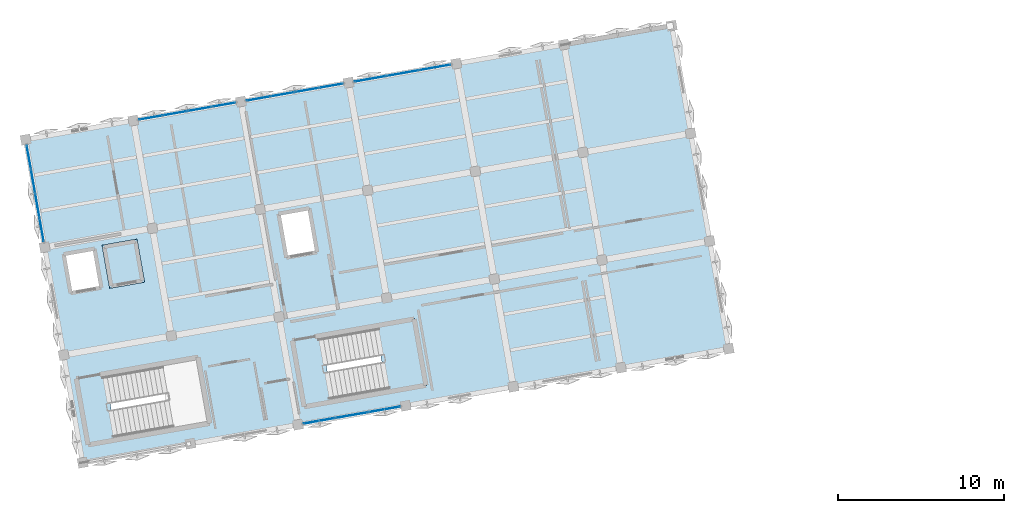
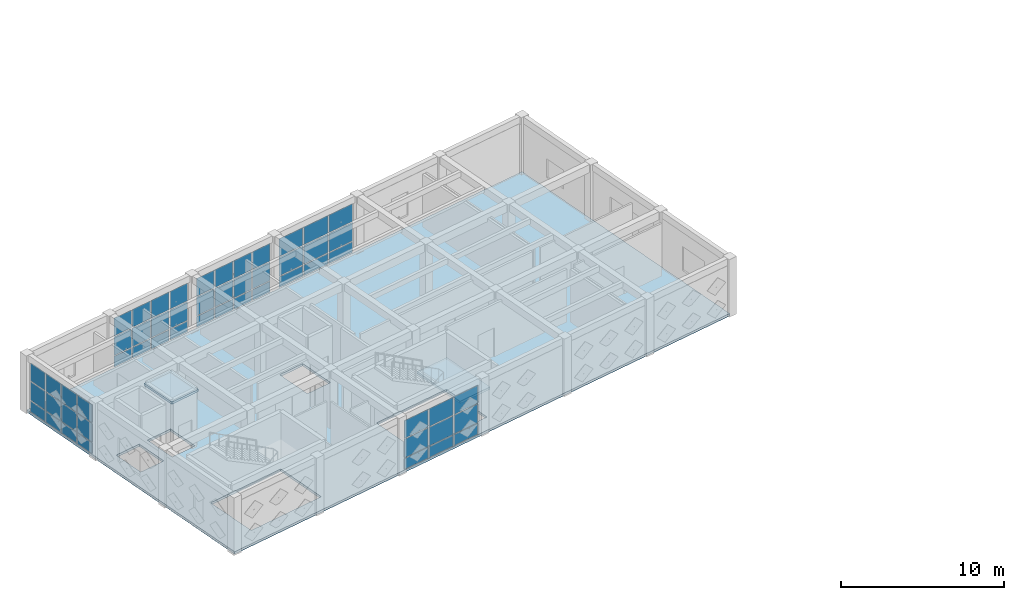
# One storey, part 16 of 29: 54 plates, 3 slabs, 6 elements without a shape of their own.
"""IFC4 building model written with IfcOpenShell, lengths in metres."""

from ifc_helpers import new_model, si_unit, direction, frame, origin, origin_2d, place, context, subcontext, project, spatial, polyline, rectangle, outline, extrude, material, layer, layer_set, type_object, element, aggregate, save


model = new_model("IFC4")

# Units and contexts
model_context = context("Model", 3, precision=1e-05, world=origin(), true_north=direction((0.0, 1.0)))
body_context = subcontext(model_context, "Body", "Model", "MODEL_VIEW")
ifc_project = project(units=[si_unit("LENGTHUNIT", "METRE"), si_unit("AREAUNIT", "SQUARE_METRE"), si_unit("VOLUMEUNIT", "CUBIC_METRE"), si_unit("PLANEANGLEUNIT", "RADIAN"), si_unit("MASSUNIT", "GRAM", prefix="KILO")], contexts=[model_context])

# Site, building, storey
site_placement = place(None, origin())
site = spatial("IfcSite", under=ifc_project, at=site_placement, CompositionType="ELEMENT")
building_placement = place(site_placement, origin())
building = spatial("IfcBuilding", under=site, at=building_placement, Name="Kharisveld Research Institute", CompositionType="ELEMENT")
storey_placement = place(building_placement, frame((0.0, 0.0, 32.10009765625)))
storey = spatial("IfcBuildingStorey", under=building, at=storey_placement, Name="L07", CompositionType="ELEMENT", Elevation=32.10009765625)

# Curtain wall, plates
ifc_material_1 = material(Name="Thermally Broken Aluminium Curtain Wall", Category="aluminium")
ifc_layer_1 = layer(ifc_material_1, 0.159912109375)
ifc_layer_set_1 = layer_set([ifc_layer_1], Name="CW_SYS_02")
curtain_wall_type_1 = type_object("IfcCurtainWallType", Name="CW_SYS_02", PredefinedType="NOTDEFINED", material=ifc_layer_set_1)
curtain_wall_1_placement = place(storey_placement, origin())
curtain_wall_1 = element("IfcCurtainWall", 1, at=curtain_wall_1_placement, inside=storey, type_object=curtain_wall_type_1, Name="CW:V1:L07:W2", PredefinedType="NOTDEFINED")
ifc_material_2 = material(Name="Low-E Double Glazing", Category="glass")
ifc_layer_2 = layer(ifc_material_2, 0.028076171875)
ifc_layer_set_2 = layer_set([ifc_layer_2], Name="CW_PNL_GLZ")
plate_type_1 = type_object("IfcPlateType", Name="CW_PNL_GLZ", PredefinedType="CURTAIN_PANEL", material=ifc_layer_set_2)
plate_1_placement = place(storey_placement, frame((2.72314453125, 49.05712890625, 0.06494140625), z_axis=(0.0, 0.0, 1.0), x_axis=(-0.173648210685, 0.98480774719, 0.0)))
plate_1 = element("IfcPlate", 2, at=plate_1_placement, type_object=plate_type_1, Name="CW-02 panel 1.1", PredefinedType="CURTAIN_PANEL", context=body_context, shape_type="SweptSolid", body=[
    extrude(rectangle(XDim=1.3974609375, YDim=0.028076171875, at=origin_2d()), origin(), (0.0, 0.0, 1.0), 0.802490234375),
])
plate_2_placement = place(storey_placement, frame((2.72314453125, 49.05712890625, 0.9326171875), z_axis=(0.0, 0.0, 1.0), x_axis=(-0.173648210685, 0.98480774719, 0.0)))
plate_2 = element("IfcPlate", 3, at=plate_2_placement, type_object=plate_type_1, Name="CW-02 panel 1.2", PredefinedType="CURTAIN_PANEL", context=body_context, shape_type="SweptSolid", body=[
    extrude(rectangle(XDim=1.3974609375, YDim=0.028076171875, at=origin_2d()), origin(), (0.0, 0.0, 1.0), 1.385009765625),
])
plate_3_placement = place(storey_placement, frame((2.72314453125, 49.05712890625, 2.38232421875), z_axis=(0.0, 0.0, 1.0), x_axis=(-0.173648210685, 0.98480774719, 0.0)))
plate_3 = element("IfcPlate", 4, at=plate_3_placement, type_object=plate_type_1, Name="CW-02 panel 1.3", PredefinedType="CURTAIN_PANEL", context=body_context, shape_type="SweptSolid", body=[
    extrude(rectangle(XDim=1.3974609375, YDim=0.028076171875, at=origin_2d()), origin(), (0.0, 0.0, 1.0), 1.33251953125),
])
plate_4_placement = place(storey_placement, frame((2.46533203125, 50.51953125, 0.06494140625), z_axis=(0.0, 0.0, 1.0), x_axis=(-0.173648210685, 0.98480774719, 0.0)))
plate_4 = element("IfcPlate", 5, at=plate_4_placement, type_object=plate_type_1, Name="CW-02 panel 2.1", PredefinedType="CURTAIN_PANEL", context=body_context, shape_type="SweptSolid", body=[
    extrude(rectangle(XDim=1.4326171875, YDim=0.028076171875, at=origin_2d()), origin(), (0.0, 0.0, 1.0), 0.802490234375),
])
plate_5_placement = place(storey_placement, frame((2.46533203125, 50.51953125, 0.9326171875), z_axis=(0.0, 0.0, 1.0), x_axis=(-0.173648210685, 0.98480774719, 0.0)))
plate_5 = element("IfcPlate", 6, at=plate_5_placement, type_object=plate_type_1, Name="CW-02 panel 2.2", PredefinedType="CURTAIN_PANEL", context=body_context, shape_type="SweptSolid", body=[
    extrude(rectangle(XDim=1.4326171875, YDim=0.028076171875, at=origin_2d()), origin(), (0.0, 0.0, 1.0), 1.385009765625),
])
plate_6_placement = place(storey_placement, frame((2.46533203125, 50.51953125, 2.38232421875), z_axis=(0.0, 0.0, 1.0), x_axis=(-0.173648210685, 0.98480774719, 0.0)))
plate_6 = element("IfcPlate", 7, at=plate_6_placement, type_object=plate_type_1, Name="CW-02 panel 2.3", PredefinedType="CURTAIN_PANEL", context=body_context, shape_type="SweptSolid", body=[
    extrude(rectangle(XDim=1.4326171875, YDim=0.028076171875, at=origin_2d()), origin(), (0.0, 0.0, 1.0), 1.33251953125),
])
plate_7_placement = place(storey_placement, frame((2.204345703125, 51.999267578125, 0.06494140625), z_axis=(0.0, 0.0, 1.0), x_axis=(-0.173648210685, 0.98480774719, 0.0)))
plate_7 = element("IfcPlate", 8, at=plate_7_placement, type_object=plate_type_1, Name="CW-02 panel 3.1", PredefinedType="CURTAIN_PANEL", context=body_context, shape_type="SweptSolid", body=[
    extrude(rectangle(XDim=1.4326171875, YDim=0.028076171875, at=origin_2d()), origin(), (0.0, 0.0, 1.0), 0.802490234375),
])
plate_8_placement = place(storey_placement, frame((2.204345703125, 51.999267578125, 0.9326171875), z_axis=(0.0, 0.0, 1.0), x_axis=(-0.173648210685, 0.98480774719, 0.0)))
plate_8 = element("IfcPlate", 9, at=plate_8_placement, type_object=plate_type_1, Name="CW-02 panel 3.2", PredefinedType="CURTAIN_PANEL", context=body_context, shape_type="SweptSolid", body=[
    extrude(rectangle(XDim=1.4326171875, YDim=0.028076171875, at=origin_2d()), origin(), (0.0, 0.0, 1.0), 1.385009765625),
])
plate_9_placement = place(storey_placement, frame((2.204345703125, 51.999267578125, 2.38232421875), z_axis=(0.0, 0.0, 1.0), x_axis=(-0.173648210685, 0.98480774719, 0.0)))
plate_9 = element("IfcPlate", 10, at=plate_9_placement, type_object=plate_type_1, Name="CW-02 panel 3.3", PredefinedType="CURTAIN_PANEL", context=body_context, shape_type="SweptSolid", body=[
    extrude(rectangle(XDim=1.4326171875, YDim=0.028076171875, at=origin_2d()), origin(), (0.0, 0.0, 1.0), 1.33251953125),
])
plate_10_placement = place(storey_placement, frame((1.946533203125, 53.461669921875, 0.06494140625), z_axis=(0.0, 0.0, 1.0), x_axis=(-0.173648210685, 0.98480774719, 0.0)))
plate_10 = element("IfcPlate", 11, at=plate_10_placement, type_object=plate_type_1, Name="CW-02 panel 4.1", PredefinedType="CURTAIN_PANEL", context=body_context, shape_type="SweptSolid", body=[
    extrude(rectangle(XDim=1.3974609375, YDim=0.028076171875, at=origin_2d()), origin(), (0.0, 0.0, 1.0), 0.802490234375),
])
plate_11_placement = place(storey_placement, frame((1.946533203125, 53.461669921875, 0.9326171875), z_axis=(0.0, 0.0, 1.0), x_axis=(-0.173648210685, 0.98480774719, 0.0)))
plate_11 = element("IfcPlate", 12, at=plate_11_placement, type_object=plate_type_1, Name="CW-02 panel 4.2", PredefinedType="CURTAIN_PANEL", context=body_context, shape_type="SweptSolid", body=[
    extrude(rectangle(XDim=1.3974609375, YDim=0.028076171875, at=origin_2d()), origin(), (0.0, 0.0, 1.0), 1.385009765625),
])
plate_12_placement = place(storey_placement, frame((1.946533203125, 53.461669921875, 2.38232421875), z_axis=(0.0, 0.0, 1.0), x_axis=(-0.173648210685, 0.98480774719, 0.0)))
plate_12 = element("IfcPlate", 13, at=plate_12_placement, type_object=plate_type_1, Name="CW-02 panel 4.3", PredefinedType="CURTAIN_PANEL", context=body_context, shape_type="SweptSolid", body=[
    extrude(rectangle(XDim=1.3974609375, YDim=0.028076171875, at=origin_2d()), origin(), (0.0, 0.0, 1.0), 1.33251953125),
])
aggregate(curtain_wall_1, [plate_1, plate_2, plate_3, plate_4, plate_5, plate_6, plate_7, plate_8, plate_9, plate_10, plate_11, plate_12])

ifc_material_3 = material(Name="Thermally Broken Aluminium Curtain Wall", Category="aluminium")
ifc_layer_3 = layer(ifc_material_3, 0.159912109375)
ifc_layer_set_3 = layer_set([ifc_layer_3], Name="CW_SYS_03")
curtain_wall_type_2 = type_object("IfcCurtainWallType", Name="CW_SYS_03", PredefinedType="NOTDEFINED", material=ifc_layer_set_3)
curtain_wall_2_placement = place(storey_placement, origin())
curtain_wall_2 = element("IfcCurtainWall", 14, at=curtain_wall_2_placement, inside=storey, type_object=curtain_wall_type_2, Name="CW:V1:L07:N1", PredefinedType="NOTDEFINED")
plate_13_placement = place(storey_placement, frame((9.30908203125, 55.840087890625, 0.06494140625), z_axis=(0.0, 0.0, 1.0), x_axis=(0.984807742174, 0.173648239132, 0.0)))
plate_13 = element("IfcPlate", 15, at=plate_13_placement, type_object=plate_type_1, Name="CW-03 panel 1.1", PredefinedType="CURTAIN_PANEL", context=body_context, shape_type="SweptSolid", body=[
    extrude(rectangle(XDim=1.3974609375, YDim=0.028076171875, at=origin_2d()), origin(), (0.0, 0.0, 1.0), 0.802490234375),
])
plate_14_placement = place(storey_placement, frame((9.30908203125, 55.840087890625, 0.9326171875), z_axis=(0.0, 0.0, 1.0), x_axis=(0.984807742174, 0.173648239132, 0.0)))
plate_14 = element("IfcPlate", 16, at=plate_14_placement, type_object=plate_type_1, Name="CW-03 panel 1.2", PredefinedType="CURTAIN_PANEL", context=body_context, shape_type="SweptSolid", body=[
    extrude(rectangle(XDim=1.3974609375, YDim=0.028076171875, at=origin_2d()), origin(), (0.0, 0.0, 1.0), 1.385009765625),
])
plate_15_placement = place(storey_placement, frame((9.30908203125, 55.840087890625, 2.38232421875), z_axis=(0.0, 0.0, 1.0), x_axis=(0.984807742174, 0.173648239132, 0.0)))
plate_15 = element("IfcPlate", 17, at=plate_15_placement, type_object=plate_type_1, Name="CW-03 panel 1.3", PredefinedType="CURTAIN_PANEL", context=body_context, shape_type="SweptSolid", body=[
    extrude(rectangle(XDim=1.3974609375, YDim=0.028076171875, at=origin_2d()), origin(), (0.0, 0.0, 1.0), 1.33251953125),
])
plate_16_placement = place(storey_placement, frame((10.771484375, 56.097900390625, 0.06494140625), z_axis=(0.0, 0.0, 1.0), x_axis=(0.984807742174, 0.173648239132, 0.0)))
plate_16 = element("IfcPlate", 18, at=plate_16_placement, type_object=plate_type_1, Name="CW-03 panel 2.1", PredefinedType="CURTAIN_PANEL", context=body_context, shape_type="SweptSolid", body=[
    extrude(rectangle(XDim=1.4326171875, YDim=0.028076171875, at=origin_2d()), origin(), (0.0, 0.0, 1.0), 0.802490234375),
])
plate_17_placement = place(storey_placement, frame((10.771484375, 56.097900390625, 0.9326171875), z_axis=(0.0, 0.0, 1.0), x_axis=(0.984807742174, 0.173648239132, 0.0)))
plate_17 = element("IfcPlate", 19, at=plate_17_placement, type_object=plate_type_1, Name="CW-03 panel 2.2", PredefinedType="CURTAIN_PANEL", context=body_context, shape_type="SweptSolid", body=[
    extrude(rectangle(XDim=1.4326171875, YDim=0.028076171875, at=origin_2d()), origin(), (0.0, 0.0, 1.0), 1.385009765625),
])
plate_18_placement = place(storey_placement, frame((10.771484375, 56.097900390625, 2.38232421875), z_axis=(0.0, 0.0, 1.0), x_axis=(0.984807742174, 0.173648239132, 0.0)))
plate_18 = element("IfcPlate", 20, at=plate_18_placement, type_object=plate_type_1, Name="CW-03 panel 2.3", PredefinedType="CURTAIN_PANEL", context=body_context, shape_type="SweptSolid", body=[
    extrude(rectangle(XDim=1.4326171875, YDim=0.028076171875, at=origin_2d()), origin(), (0.0, 0.0, 1.0), 1.33251953125),
])
plate_19_placement = place(storey_placement, frame((12.251220703125, 56.358642578125, 0.06494140625), z_axis=(0.0, 0.0, 1.0), x_axis=(0.984807742174, 0.173648239132, 0.0)))
plate_19 = element("IfcPlate", 21, at=plate_19_placement, type_object=plate_type_1, Name="CW-03 panel 3.1", PredefinedType="CURTAIN_PANEL", context=body_context, shape_type="SweptSolid", body=[
    extrude(rectangle(XDim=1.4326171875, YDim=0.028076171875, at=origin_2d()), origin(), (0.0, 0.0, 1.0), 0.802490234375),
])
plate_20_placement = place(storey_placement, frame((12.251220703125, 56.358642578125, 0.9326171875), z_axis=(0.0, 0.0, 1.0), x_axis=(0.984807742174, 0.173648239132, 0.0)))
plate_20 = element("IfcPlate", 22, at=plate_20_placement, type_object=plate_type_1, Name="CW-03 panel 3.2", PredefinedType="CURTAIN_PANEL", context=body_context, shape_type="SweptSolid", body=[
    extrude(rectangle(XDim=1.4326171875, YDim=0.028076171875, at=origin_2d()), origin(), (0.0, 0.0, 1.0), 1.385009765625),
])
plate_21_placement = place(storey_placement, frame((12.251220703125, 56.358642578125, 2.38232421875), z_axis=(0.0, 0.0, 1.0), x_axis=(0.984807742174, 0.173648239132, 0.0)))
plate_21 = element("IfcPlate", 23, at=plate_21_placement, type_object=plate_type_1, Name="CW-03 panel 3.3", PredefinedType="CURTAIN_PANEL", context=body_context, shape_type="SweptSolid", body=[
    extrude(rectangle(XDim=1.4326171875, YDim=0.028076171875, at=origin_2d()), origin(), (0.0, 0.0, 1.0), 1.33251953125),
])
plate_22_placement = place(storey_placement, frame((13.713623046875, 56.61669921875, 0.06494140625), z_axis=(0.0, 0.0, 1.0), x_axis=(0.984807742174, 0.173648239132, 0.0)))
plate_22 = element("IfcPlate", 24, at=plate_22_placement, type_object=plate_type_1, Name="CW-03 panel 4.1", PredefinedType="CURTAIN_PANEL", context=body_context, shape_type="SweptSolid", body=[
    extrude(rectangle(XDim=1.3974609375, YDim=0.028076171875, at=origin_2d()), origin(), (0.0, 0.0, 1.0), 0.802490234375),
])
plate_23_placement = place(storey_placement, frame((13.713623046875, 56.61669921875, 0.9326171875), z_axis=(0.0, 0.0, 1.0), x_axis=(0.984807742174, 0.173648239132, 0.0)))
plate_23 = element("IfcPlate", 25, at=plate_23_placement, type_object=plate_type_1, Name="CW-03 panel 4.2", PredefinedType="CURTAIN_PANEL", context=body_context, shape_type="SweptSolid", body=[
    extrude(rectangle(XDim=1.3974609375, YDim=0.028076171875, at=origin_2d()), origin(), (0.0, 0.0, 1.0), 1.385009765625),
])
plate_24_placement = place(storey_placement, frame((13.713623046875, 56.61669921875, 2.38232421875), z_axis=(0.0, 0.0, 1.0), x_axis=(0.984807742174, 0.173648239132, 0.0)))
plate_24 = element("IfcPlate", 26, at=plate_24_placement, type_object=plate_type_1, Name="CW-03 panel 4.3", PredefinedType="CURTAIN_PANEL", context=body_context, shape_type="SweptSolid", body=[
    extrude(rectangle(XDim=1.3974609375, YDim=0.028076171875, at=origin_2d()), origin(), (0.0, 0.0, 1.0), 1.33251953125),
])
aggregate(curtain_wall_2, [plate_13, plate_14, plate_15, plate_16, plate_17, plate_18, plate_19, plate_20, plate_21, plate_22, plate_23, plate_24])

ifc_material_4 = material(Name="Thermally Broken Aluminium Curtain Wall", Category="aluminium")
ifc_layer_4 = layer(ifc_material_4, 0.159912109375)
ifc_layer_set_4 = layer_set([ifc_layer_4], Name="CW_SYS_04")
curtain_wall_type_3 = type_object("IfcCurtainWallType", Name="CW_SYS_04", PredefinedType="NOTDEFINED", material=ifc_layer_set_4)
curtain_wall_3_placement = place(storey_placement, origin())
curtain_wall_3 = element("IfcCurtainWall", 27, at=curtain_wall_3_placement, inside=storey, type_object=curtain_wall_type_3, Name="CW:V1:L07:N2", PredefinedType="NOTDEFINED")
plate_25_placement = place(storey_placement, frame((15.808837890625, 56.986083984375, 0.06494140625), z_axis=(0.0, 0.0, 1.0), x_axis=(0.98480774719, 0.173648210685, 0.0)))
plate_25 = element("IfcPlate", 28, at=plate_25_placement, type_object=plate_type_1, Name="CW-04 panel 1.1", PredefinedType="CURTAIN_PANEL", context=body_context, shape_type="SweptSolid", body=[
    extrude(rectangle(XDim=1.3974609375, YDim=0.028076171875, at=origin_2d()), origin(), (0.0, 0.0, 1.0), 0.802490234375),
])
plate_26_placement = place(storey_placement, frame((15.808837890625, 56.986083984375, 0.9326171875), z_axis=(0.0, 0.0, 1.0), x_axis=(0.98480774719, 0.173648210685, 0.0)))
plate_26 = element("IfcPlate", 29, at=plate_26_placement, type_object=plate_type_1, Name="CW-04 panel 1.2", PredefinedType="CURTAIN_PANEL", context=body_context, shape_type="SweptSolid", body=[
    extrude(rectangle(XDim=1.3974609375, YDim=0.028076171875, at=origin_2d()), origin(), (0.0, 0.0, 1.0), 1.385009765625),
])
plate_27_placement = place(storey_placement, frame((15.808837890625, 56.986083984375, 2.38232421875), z_axis=(0.0, 0.0, 1.0), x_axis=(0.98480774719, 0.173648210685, 0.0)))
plate_27 = element("IfcPlate", 30, at=plate_27_placement, type_object=plate_type_1, Name="CW-04 panel 1.3", PredefinedType="CURTAIN_PANEL", context=body_context, shape_type="SweptSolid", body=[
    extrude(rectangle(XDim=1.3974609375, YDim=0.028076171875, at=origin_2d()), origin(), (0.0, 0.0, 1.0), 1.33251953125),
])
plate_28_placement = place(storey_placement, frame((17.271240234375, 57.243896484375, 0.06494140625), z_axis=(0.0, 0.0, 1.0), x_axis=(0.98480774719, 0.173648210685, 0.0)))
plate_28 = element("IfcPlate", 31, at=plate_28_placement, type_object=plate_type_1, Name="CW-04 panel 2.1", PredefinedType="CURTAIN_PANEL", context=body_context, shape_type="SweptSolid", body=[
    extrude(rectangle(XDim=1.4326171875, YDim=0.028076171875, at=origin_2d()), origin(), (0.0, 0.0, 1.0), 0.802490234375),
])
plate_29_placement = place(storey_placement, frame((17.271240234375, 57.243896484375, 0.9326171875), z_axis=(0.0, 0.0, 1.0), x_axis=(0.98480774719, 0.173648210685, 0.0)))
plate_29 = element("IfcPlate", 32, at=plate_29_placement, type_object=plate_type_1, Name="CW-04 panel 2.2", PredefinedType="CURTAIN_PANEL", context=body_context, shape_type="SweptSolid", body=[
    extrude(rectangle(XDim=1.4326171875, YDim=0.028076171875, at=origin_2d()), origin(), (0.0, 0.0, 1.0), 1.385009765625),
])
plate_30_placement = place(storey_placement, frame((17.271240234375, 57.243896484375, 2.38232421875), z_axis=(0.0, 0.0, 1.0), x_axis=(0.98480774719, 0.173648210685, 0.0)))
plate_30 = element("IfcPlate", 33, at=plate_30_placement, type_object=plate_type_1, Name="CW-04 panel 2.3", PredefinedType="CURTAIN_PANEL", context=body_context, shape_type="SweptSolid", body=[
    extrude(rectangle(XDim=1.4326171875, YDim=0.028076171875, at=origin_2d()), origin(), (0.0, 0.0, 1.0), 1.33251953125),
])
plate_31_placement = place(storey_placement, frame((18.7509765625, 57.5048828125, 0.06494140625), z_axis=(0.0, 0.0, 1.0), x_axis=(0.98480774719, 0.173648210685, 0.0)))
plate_31 = element("IfcPlate", 34, at=plate_31_placement, type_object=plate_type_1, Name="CW-04 panel 3.1", PredefinedType="CURTAIN_PANEL", context=body_context, shape_type="SweptSolid", body=[
    extrude(rectangle(XDim=1.4326171875, YDim=0.028076171875, at=origin_2d()), origin(), (0.0, 0.0, 1.0), 0.802490234375),
])
plate_32_placement = place(storey_placement, frame((18.7509765625, 57.5048828125, 0.9326171875), z_axis=(0.0, 0.0, 1.0), x_axis=(0.98480774719, 0.173648210685, 0.0)))
plate_32 = element("IfcPlate", 35, at=plate_32_placement, type_object=plate_type_1, Name="CW-04 panel 3.2", PredefinedType="CURTAIN_PANEL", context=body_context, shape_type="SweptSolid", body=[
    extrude(rectangle(XDim=1.4326171875, YDim=0.028076171875, at=origin_2d()), origin(), (0.0, 0.0, 1.0), 1.385009765625),
])
plate_33_placement = place(storey_placement, frame((18.7509765625, 57.5048828125, 2.38232421875), z_axis=(0.0, 0.0, 1.0), x_axis=(0.98480774719, 0.173648210685, 0.0)))
plate_33 = element("IfcPlate", 36, at=plate_33_placement, type_object=plate_type_1, Name="CW-04 panel 3.3", PredefinedType="CURTAIN_PANEL", context=body_context, shape_type="SweptSolid", body=[
    extrude(rectangle(XDim=1.4326171875, YDim=0.028076171875, at=origin_2d()), origin(), (0.0, 0.0, 1.0), 1.33251953125),
])
plate_34_placement = place(storey_placement, frame((20.21337890625, 57.7626953125, 0.06494140625), z_axis=(0.0, 0.0, 1.0), x_axis=(0.98480774719, 0.173648210685, 0.0)))
plate_34 = element("IfcPlate", 37, at=plate_34_placement, type_object=plate_type_1, Name="CW-04 panel 4.1", PredefinedType="CURTAIN_PANEL", context=body_context, shape_type="SweptSolid", body=[
    extrude(rectangle(XDim=1.3974609375, YDim=0.028076171875, at=origin_2d()), origin(), (0.0, 0.0, 1.0), 0.802490234375),
])
plate_35_placement = place(storey_placement, frame((20.21337890625, 57.7626953125, 0.9326171875), z_axis=(0.0, 0.0, 1.0), x_axis=(0.98480774719, 0.173648210685, 0.0)))
plate_35 = element("IfcPlate", 38, at=plate_35_placement, type_object=plate_type_1, Name="CW-04 panel 4.2", PredefinedType="CURTAIN_PANEL", context=body_context, shape_type="SweptSolid", body=[
    extrude(rectangle(XDim=1.3974609375, YDim=0.028076171875, at=origin_2d()), origin(), (0.0, 0.0, 1.0), 1.385009765625),
])
plate_36_placement = place(storey_placement, frame((20.21337890625, 57.7626953125, 2.38232421875), z_axis=(0.0, 0.0, 1.0), x_axis=(0.98480774719, 0.173648210685, 0.0)))
plate_36 = element("IfcPlate", 39, at=plate_36_placement, type_object=plate_type_1, Name="CW-04 panel 4.3", PredefinedType="CURTAIN_PANEL", context=body_context, shape_type="SweptSolid", body=[
    extrude(rectangle(XDim=1.3974609375, YDim=0.028076171875, at=origin_2d()), origin(), (0.0, 0.0, 1.0), 1.33251953125),
])
aggregate(curtain_wall_3, [plate_25, plate_26, plate_27, plate_28, plate_29, plate_30, plate_31, plate_32, plate_33, plate_34, plate_35, plate_36])

ifc_material_5 = material(Name="Thermally Broken Aluminium Curtain Wall", Category="aluminium")
ifc_layer_5 = layer(ifc_material_5, 0.159912109375)
ifc_layer_set_5 = layer_set([ifc_layer_5], Name="CW_SYS_05")
curtain_wall_type_4 = type_object("IfcCurtainWallType", Name="CW_SYS_05", PredefinedType="NOTDEFINED", material=ifc_layer_set_5)
curtain_wall_4_placement = place(storey_placement, origin())
curtain_wall_4 = element("IfcCurtainWall", 40, at=curtain_wall_4_placement, inside=storey, type_object=curtain_wall_type_4, Name="CW:V1:L07:N3", PredefinedType="NOTDEFINED")
plate_37_placement = place(storey_placement, frame((22.55517578125, 58.175537109375, 0.06494140625), z_axis=(0.0, 0.0, 1.0), x_axis=(0.984807742174, 0.173648239132, 0.0)))
plate_37 = element("IfcPlate", 41, at=plate_37_placement, type_object=plate_type_1, Name="CW-05 panel 1.1", PredefinedType="CURTAIN_PANEL", context=body_context, shape_type="SweptSolid", body=[
    extrude(rectangle(XDim=1.8984375, YDim=0.028076171875, at=origin_2d()), origin(), (0.0, 0.0, 1.0), 0.802490234375),
])
plate_38_placement = place(storey_placement, frame((22.55517578125, 58.175537109375, 0.9326171875), z_axis=(0.0, 0.0, 1.0), x_axis=(0.984807742174, 0.173648239132, 0.0)))
plate_38 = element("IfcPlate", 42, at=plate_38_placement, type_object=plate_type_1, Name="CW-05 panel 1.2", PredefinedType="CURTAIN_PANEL", context=body_context, shape_type="SweptSolid", body=[
    extrude(rectangle(XDim=1.8984375, YDim=0.028076171875, at=origin_2d()), origin(), (0.0, 0.0, 1.0), 1.385009765625),
])
plate_39_placement = place(storey_placement, frame((22.55517578125, 58.175537109375, 2.38232421875), z_axis=(0.0, 0.0, 1.0), x_axis=(0.984807742174, 0.173648239132, 0.0)))
plate_39 = element("IfcPlate", 43, at=plate_39_placement, type_object=plate_type_1, Name="CW-05 panel 1.3", PredefinedType="CURTAIN_PANEL", context=body_context, shape_type="SweptSolid", body=[
    extrude(rectangle(XDim=1.8984375, YDim=0.028076171875, at=origin_2d()), origin(), (0.0, 0.0, 1.0), 1.33251953125),
])
plate_40_placement = place(storey_placement, frame((24.5107421875, 58.5205078125, 0.06494140625), z_axis=(0.0, 0.0, 1.0), x_axis=(0.984807742174, 0.173648239132, 0.0)))
plate_40 = element("IfcPlate", 44, at=plate_40_placement, type_object=plate_type_1, Name="CW-05 panel 2.1", PredefinedType="CURTAIN_PANEL", context=body_context, shape_type="SweptSolid", body=[
    extrude(rectangle(XDim=1.933349609375, YDim=0.028076171875, at=origin_2d()), origin(), (0.0, 0.0, 1.0), 0.802490234375),
])
plate_41_placement = place(storey_placement, frame((24.5107421875, 58.5205078125, 0.9326171875), z_axis=(0.0, 0.0, 1.0), x_axis=(0.984807742174, 0.173648239132, 0.0)))
plate_41 = element("IfcPlate", 45, at=plate_41_placement, type_object=plate_type_1, Name="CW-05 panel 2.2", PredefinedType="CURTAIN_PANEL", context=body_context, shape_type="SweptSolid", body=[
    extrude(rectangle(XDim=1.933349609375, YDim=0.028076171875, at=origin_2d()), origin(), (0.0, 0.0, 1.0), 1.385009765625),
])
plate_42_placement = place(storey_placement, frame((24.5107421875, 58.5205078125, 2.38232421875), z_axis=(0.0, 0.0, 1.0), x_axis=(0.984807742174, 0.173648239132, 0.0)))
plate_42 = element("IfcPlate", 46, at=plate_42_placement, type_object=plate_type_1, Name="CW-05 panel 2.3", PredefinedType="CURTAIN_PANEL", context=body_context, shape_type="SweptSolid", body=[
    extrude(rectangle(XDim=1.933349609375, YDim=0.028076171875, at=origin_2d()), origin(), (0.0, 0.0, 1.0), 1.33251953125),
])
plate_43_placement = place(storey_placement, frame((26.466552734375, 58.865234375, 0.06494140625), z_axis=(0.0, 0.0, 1.0), x_axis=(0.984807742174, 0.173648239132, 0.0)))
plate_43 = element("IfcPlate", 47, at=plate_43_placement, type_object=plate_type_1, Name="CW-05 panel 3.1", PredefinedType="CURTAIN_PANEL", context=body_context, shape_type="SweptSolid", body=[
    extrude(rectangle(XDim=1.8984375, YDim=0.028076171875, at=origin_2d()), origin(), (0.0, 0.0, 1.0), 0.802490234375),
])
plate_44_placement = place(storey_placement, frame((26.466552734375, 58.865234375, 0.9326171875), z_axis=(0.0, 0.0, 1.0), x_axis=(0.984807742174, 0.173648239132, 0.0)))
plate_44 = element("IfcPlate", 48, at=plate_44_placement, type_object=plate_type_1, Name="CW-05 panel 3.2", PredefinedType="CURTAIN_PANEL", context=body_context, shape_type="SweptSolid", body=[
    extrude(rectangle(XDim=1.8984375, YDim=0.028076171875, at=origin_2d()), origin(), (0.0, 0.0, 1.0), 1.385009765625),
])
plate_45_placement = place(storey_placement, frame((26.466552734375, 58.865234375, 2.38232421875), z_axis=(0.0, 0.0, 1.0), x_axis=(0.984807742174, 0.173648239132, 0.0)))
plate_45 = element("IfcPlate", 49, at=plate_45_placement, type_object=plate_type_1, Name="CW-05 panel 3.3", PredefinedType="CURTAIN_PANEL", context=body_context, shape_type="SweptSolid", body=[
    extrude(rectangle(XDim=1.8984375, YDim=0.028076171875, at=origin_2d()), origin(), (0.0, 0.0, 1.0), 1.33251953125),
])
aggregate(curtain_wall_4, [plate_37, plate_38, plate_39, plate_40, plate_41, plate_42, plate_43, plate_44, plate_45])

ifc_material_6 = material(Name="Thermally Broken Aluminium Curtain Wall", Category="aluminium")
ifc_layer_6 = layer(ifc_material_6, 0.159912109375)
ifc_layer_set_6 = layer_set([ifc_layer_6], Name="CW_SYS_06")
curtain_wall_type_5 = type_object("IfcCurtainWallType", Name="CW_SYS_06", PredefinedType="NOTDEFINED", material=ifc_layer_set_6)
curtain_wall_5_placement = place(storey_placement, origin())
curtain_wall_5 = element("IfcCurtainWall", 50, at=curtain_wall_5_placement, inside=storey, type_object=curtain_wall_type_5, Name="CW:V1:L07:S3", PredefinedType="NOTDEFINED")
ifc_material_7 = material(Name="Insulated Spandrel Glazing", Category="glass")
ifc_layer_7 = layer(ifc_material_7, 0.035888671875)
ifc_layer_set_7 = layer_set([ifc_layer_7], Name="CW_PNL_SPD")
plate_type_2 = type_object("IfcPlateType", Name="CW_PNL_SPD", PredefinedType="CURTAIN_PANEL", material=ifc_layer_set_7)
plate_46_placement = place(storey_placement, frame((23.405029296875, 38.219970703125, 0.06494140625), z_axis=(0.0, 0.0, 1.0), x_axis=(-0.98480774719, -0.173648210685, 0.0)))
plate_46 = element("IfcPlate", 51, at=plate_46_placement, type_object=plate_type_2, Name="CW-06 panel 1.1", PredefinedType="CURTAIN_PANEL", context=body_context, shape_type="SweptSolid", body=[
    extrude(rectangle(XDim=1.8984375, YDim=0.035888671875, at=origin_2d()), origin(), (0.0, 0.0, 1.0), 0.802490234375),
])
plate_47_placement = place(storey_placement, frame((23.405029296875, 38.219970703125, 0.9326171875), z_axis=(0.0, 0.0, 1.0), x_axis=(-0.98480774719, -0.173648210685, 0.0)))
plate_47 = element("IfcPlate", 52, at=plate_47_placement, type_object=plate_type_2, Name="CW-06 panel 1.2", PredefinedType="CURTAIN_PANEL", context=body_context, shape_type="SweptSolid", body=[
    extrude(rectangle(XDim=1.8984375, YDim=0.035888671875, at=origin_2d()), origin(), (0.0, 0.0, 1.0), 1.385009765625),
])
plate_48_placement = place(storey_placement, frame((23.405029296875, 38.219970703125, 2.38232421875), z_axis=(0.0, 0.0, 1.0), x_axis=(-0.98480774719, -0.173648210685, 0.0)))
plate_48 = element("IfcPlate", 53, at=plate_48_placement, type_object=plate_type_2, Name="CW-06 panel 1.3", PredefinedType="CURTAIN_PANEL", context=body_context, shape_type="SweptSolid", body=[
    extrude(rectangle(XDim=1.8984375, YDim=0.035888671875, at=origin_2d()), origin(), (0.0, 0.0, 1.0), 1.33251953125),
])
plate_49_placement = place(storey_placement, frame((21.44921875, 37.875244140625, 0.06494140625), z_axis=(0.0, 0.0, 1.0), x_axis=(-0.98480774719, -0.173648210685, 0.0)))
plate_49 = element("IfcPlate", 54, at=plate_49_placement, type_object=plate_type_2, Name="CW-06 panel 2.1", PredefinedType="CURTAIN_PANEL", context=body_context, shape_type="SweptSolid", body=[
    extrude(rectangle(XDim=1.933349609375, YDim=0.035888671875, at=origin_2d()), origin(), (0.0, 0.0, 1.0), 0.802490234375),
])
plate_50_placement = place(storey_placement, frame((21.44921875, 37.875244140625, 0.9326171875), z_axis=(0.0, 0.0, 1.0), x_axis=(-0.98480774719, -0.173648210685, 0.0)))
plate_50 = element("IfcPlate", 55, at=plate_50_placement, type_object=plate_type_2, Name="CW-06 panel 2.2", PredefinedType="CURTAIN_PANEL", context=body_context, shape_type="SweptSolid", body=[
    extrude(rectangle(XDim=1.933349609375, YDim=0.035888671875, at=origin_2d()), origin(), (0.0, 0.0, 1.0), 1.385009765625),
])
plate_51_placement = place(storey_placement, frame((21.44921875, 37.875244140625, 2.38232421875), z_axis=(0.0, 0.0, 1.0), x_axis=(-0.98480774719, -0.173648210685, 0.0)))
plate_51 = element("IfcPlate", 56, at=plate_51_placement, type_object=plate_type_2, Name="CW-06 panel 2.3", PredefinedType="CURTAIN_PANEL", context=body_context, shape_type="SweptSolid", body=[
    extrude(rectangle(XDim=1.933349609375, YDim=0.035888671875, at=origin_2d()), origin(), (0.0, 0.0, 1.0), 1.33251953125),
])
plate_52_placement = place(storey_placement, frame((19.49365234375, 37.5302734375, 0.06494140625), z_axis=(0.0, 0.0, 1.0), x_axis=(-0.98480774719, -0.173648210685, 0.0)))
plate_52 = element("IfcPlate", 57, at=plate_52_placement, type_object=plate_type_2, Name="CW-06 panel 3.1", PredefinedType="CURTAIN_PANEL", context=body_context, shape_type="SweptSolid", body=[
    extrude(rectangle(XDim=1.8984375, YDim=0.035888671875, at=origin_2d()), origin(), (0.0, 0.0, 1.0), 0.802490234375),
])
plate_53_placement = place(storey_placement, frame((19.49365234375, 37.5302734375, 0.9326171875), z_axis=(0.0, 0.0, 1.0), x_axis=(-0.98480774719, -0.173648210685, 0.0)))
plate_53 = element("IfcPlate", 58, at=plate_53_placement, type_object=plate_type_2, Name="CW-06 panel 3.2", PredefinedType="CURTAIN_PANEL", context=body_context, shape_type="SweptSolid", body=[
    extrude(rectangle(XDim=1.8984375, YDim=0.035888671875, at=origin_2d()), origin(), (0.0, 0.0, 1.0), 1.385009765625),
])
plate_54_placement = place(storey_placement, frame((19.49365234375, 37.5302734375, 2.38232421875), z_axis=(0.0, 0.0, 1.0), x_axis=(-0.98480774719, -0.173648210685, 0.0)))
plate_54 = element("IfcPlate", 59, at=plate_54_placement, type_object=plate_type_2, Name="CW-06 panel 3.3", PredefinedType="CURTAIN_PANEL", context=body_context, shape_type="SweptSolid", body=[
    extrude(rectangle(XDim=1.8984375, YDim=0.035888671875, at=origin_2d()), origin(), (0.0, 0.0, 1.0), 1.33251953125),
])
aggregate(curtain_wall_5, [plate_46, plate_47, plate_48, plate_49, plate_50, plate_51, plate_52, plate_53, plate_54])

# Slabs
ifc_material_8 = material(Name="Concrete C40/50", Category="concrete")
ifc_layer_8 = layer(ifc_material_8, 0.179931640625)
ifc_layer_set_8 = layer_set([ifc_layer_8], Name="SL_FLR_180")
slab_type_1 = type_object("IfcSlabType", Name="SL_FLR_180", PredefinedType="FLOOR", material=ifc_layer_set_8)
slab_1_placement = place(storey_placement, frame((0.0, 0.0, -0.18017578125)))
element("IfcSlab", 60, at=slab_1_placement, inside=storey, type_object=slab_type_1, Name="SLAB:V1:L07:MAIN", PredefinedType="FLOOR", context=body_context, shape_type="SweptSolid", body=[
    extrude(outline(polyline([(5.199951171875, 35.010009765625), (44.198486328125, 41.886474609375), (40.76025390625, 61.3857421875), (1.76171875, 54.50927734375), (5.199951171875, 35.010009765625)]), holes=[polyline([(12.73974609375, 37.45654296875), (7.224853515625, 36.48388671875), (6.554443359375, 40.285400390625), (12.0693359375, 41.2578125), (12.73974609375, 37.45654296875)]), polyline([(25.788330078125, 39.75732421875), (20.2734375, 38.784912109375), (19.603271484375, 42.586181640625), (25.1181640625, 43.55859375), (25.788330078125, 39.75732421875)]), polyline([(6.29931640625, 45.591552734375), (4.487060546875, 45.272216796875), (4.080810546875, 47.57666015625), (5.892822265625, 47.89599609375), (6.29931640625, 45.591552734375)]), polyline([(6.94921875, 45.706298828125), (6.54296875, 48.0107421875), (8.35498046875, 48.330322265625), (8.76123046875, 46.025634765625), (6.94921875, 45.706298828125)]), polyline([(17.5126953125, 47.41650390625), (17.05419921875, 50.016357421875), (18.8662109375, 50.3359375), (19.32470703125, 47.736083984375), (17.5126953125, 47.41650390625)])]), origin(), (0.0, 0.0, 1.0), 0.18017578125),
])
slab_2_placement = place(storey_placement, frame((0.0, 0.0, 4.06982421875)))
element("IfcSlab", 61, at=slab_2_placement, inside=storey, type_object=slab_type_1, Name="SLAB:LFT:PL-02:L07:CAP", PredefinedType="FLOOR", context=body_context, shape_type="SweptSolid", body=[
    extrude(outline(polyline([(6.82763671875, 45.532470703125), (8.93505859375, 45.904052734375), (8.4765625, 48.50390625), (6.369140625, 48.13232421875), (6.82763671875, 45.532470703125)])), origin(), (0.0, 0.0, 1.0), 0.18017578125),
])

# Stair, slab
ifc_material_9 = material(Name="Concrete C40/50", Category="concrete")
stair_type = type_object("IfcStairType", Name="ST_EXIT_170", PredefinedType="TWO_STRAIGHT_RUN_STAIR", material=ifc_material_9)
stair_placement = place(storey_placement, origin())
stair = element("IfcStair", 62, at=stair_placement, inside=storey, type_object=stair_type, Name="STR:ST2:L07", PredefinedType="TWO_STRAIGHT_RUN_STAIR")
ifc_material_10 = material(Name="Concrete C40/50", Category="concrete")
ifc_layer_9 = layer(ifc_material_10, 0.179931640625)
ifc_layer_set_9 = layer_set([ifc_layer_9], Name="SL_LND_180")
slab_type_2 = type_object("IfcSlabType", Name="SL_LND_180", PredefinedType="LANDING", material=ifc_layer_set_9)
slab_3_placement = place(storey_placement, frame((0.0, 0.0, 2.06982421875)))
slab_3 = element("IfcSlab", 63, at=slab_3_placement, type_object=slab_type_2, Name="ST-02 landing 1", PredefinedType="LANDING", context=body_context, shape_type="SweptSolid", body=[
    extrude(outline(polyline([(23.59033203125, 39.237548828125), (25.958740234375, 39.6552734375), (25.243408203125, 43.712646484375), (22.874755859375, 43.295166015625), (23.59033203125, 39.237548828125)])), origin(), (0.0, 0.0, 1.0), 0.18017578125),
])
aggregate(stair, [slab_3])

save(model, "model.ifc")
